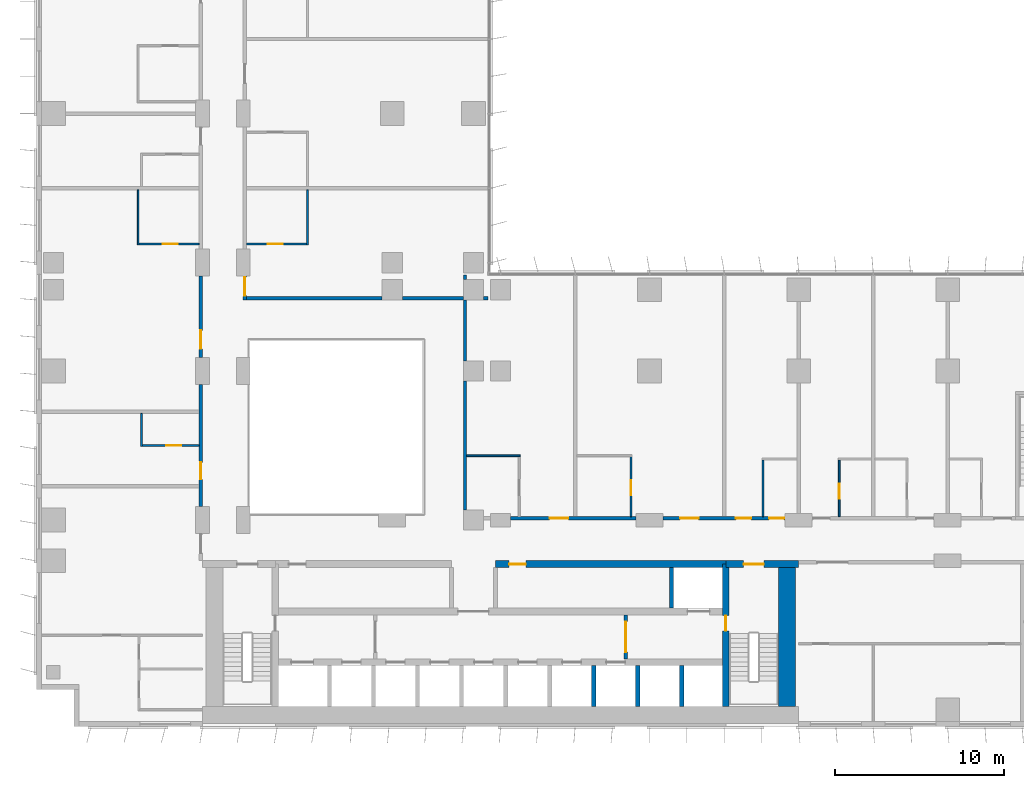
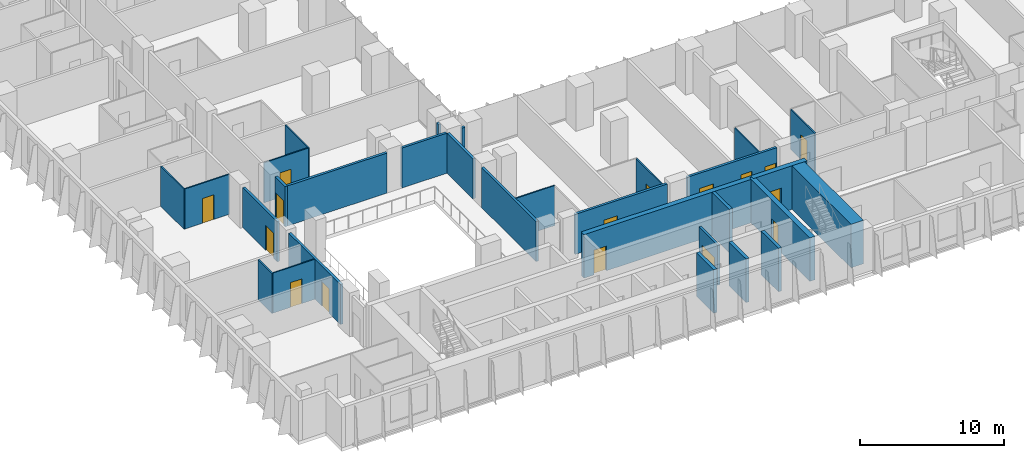
# One storey, part 13 of 24: 30 walls, 16 doors, 16 openings.
"""IFC4 building model written with IfcOpenShell, lengths in metres."""

from ifc_helpers import new_model, si_unit, direction, frame, frame_2d, origin, place, context, subcontext, project, spatial, rectangle, extrude, material, layer, layer_set, type_object, element, fill, save


model = new_model("IFC4")

# Units and contexts
model_context = context("Model", 3, precision=1e-05, world=origin(), true_north=direction((0.0, 1.0)))
body_context = subcontext(model_context, "Body", "Model", "MODEL_VIEW")
ifc_project = project(units=[si_unit("LENGTHUNIT", "METRE"), si_unit("AREAUNIT", "SQUARE_METRE"), si_unit("VOLUMEUNIT", "CUBIC_METRE"), si_unit("PLANEANGLEUNIT", "RADIAN"), si_unit("MASSUNIT", "GRAM", prefix="KILO")], contexts=[model_context])

# Site, building, storey
site_placement = place(None, origin())
site = spatial("IfcSite", under=ifc_project, at=site_placement, CompositionType="ELEMENT")
building_placement = place(site_placement, origin())
building = spatial("IfcBuilding", under=site, at=building_placement, Name="Kemantara Hotel Tower", CompositionType="ELEMENT")
storey_placement = place(building_placement, frame((0.0, 0.0, 48.800048828125)))
storey = spatial("IfcBuildingStorey", under=building, at=storey_placement, Name="L10", CompositionType="ELEMENT", Elevation=48.800048828125)

# Walls
ifc_material_1 = material(Name="Concrete fc 70 MPa", Category="concrete")
ifc_layer_1 = layer(ifc_material_1, 1.0)
ifc_layer_set_1 = layer_set([ifc_layer_1], Name="Concrete fc 70 MPa")
wall_type_1 = type_object("IfcWallType", Name="CORE WALL 1000 FC70", PredefinedType="SHEAR", material=ifc_layer_set_1)
wall_1_placement = place(storey_placement, frame((44.300048828125, 1.199951171875, 0.0), z_axis=(0.0, 0.0, 1.0), x_axis=(0.0, 1.0, 0.0)))
element("IfcWall", 1, at=wall_1_placement, inside=storey, type_object=wall_type_1, Name="CORE WALL CW-E", PredefinedType="SHEAR", context=body_context, shape_type="SweptSolid", body=[
    extrude(rectangle(XDim=8.60009765625, YDim=1.0, at=frame_2d((4.300048828125, 0.0))), origin(), (0.0, 0.0, 1.0), 3.699951171875),
])
ifc_layer_2 = layer(ifc_material_1, 0.25)
ifc_layer_set_2 = layer_set([ifc_layer_2], Name="Concrete fc 70 MPa")
wall_type_2 = type_object("IfcWallType", Name="CORE WALL 250 FC70", PredefinedType="SHEAR", material=ifc_layer_set_2)
for number, where, z_axis, x_axis, name in (
    (2, (32.89990234375, 1.199951171875, 0.0), (0.0, 0.0, 1.0), (0.0, 1.0, 0.0), "CORE WALL CW-DS32.9"),
    (3, (35.5, 1.199951171875, 0.0), (0.0, 0.0, 1.0), (0.0, 1.0, 0.0), "CORE WALL CW-DS35.5"),
    (4, (38.10009765625, 1.199951171875, 0.0), (0.0, 0.0, 1.0), (0.0, 1.0, 0.0), "CORE WALL CW-DS38.1"),
):
    element("IfcWall", number, at=place(storey_placement, frame(where, z_axis=z_axis, x_axis=x_axis)), inside=storey, type_object=wall_type_2, Name=name, PredefinedType="SHEAR", context=body_context, shape_type="SweptSolid", body=[
        extrude(rectangle(XDim=2.400146484375, YDim=0.25, at=frame_2d((1.2001953125, 0.0))), origin(), (0.0, 0.0, 1.0), 3.699951171875),
    ])
wall_2_placement = place(storey_placement, frame((37.5, 7.0, 0.0), z_axis=(0.0, 0.0, 1.0), x_axis=(0.0, 1.0, 0.0)))
element("IfcWall", 5, at=wall_2_placement, inside=storey, type_object=wall_type_2, Name="CORE WALL CW-DN37.5", PredefinedType="SHEAR", context=body_context, shape_type="SweptSolid", body=[
    extrude(rectangle(XDim=2.39990234375, YDim=0.25, at=frame_2d((1.199951171875, 0.0))), origin(), (0.0, 0.0, 1.0), 3.699951171875),
])

# Wall, opening, door
ifc_layer_3 = layer(ifc_material_1, 0.39990234375)
ifc_layer_set_3 = layer_set([ifc_layer_3], Name="Concrete fc 70 MPa")
wall_type_3 = type_object("IfcWallType", Name="CORE WALL 400 FC70", PredefinedType="SHEAR", material=ifc_layer_set_3)
wall_3_placement = place(storey_placement, frame((40.699951171875, 9.60009765625, 0.0), z_axis=(0.0, 0.0, 1.0), x_axis=(1.0, 0.0, 0.0)))
wall_3 = element("IfcWall", 6, at=wall_3_placement, inside=storey, type_object=wall_type_3, Name="CORE WALL CW-N2", PredefinedType="SHEAR", context=body_context, shape_type="SweptSolid", body=[
    extrude(rectangle(XDim=4.300048828125, YDim=0.39990234375, at=frame_2d((2.14990234375, 0.0))), origin(), (0.0, 0.0, 1.0), 3.699951171875),
])
opening_1_placement = place(wall_3_placement, frame((1.050048828125, 0.0, 0.0)))
opening_1 = element("IfcOpeningElement", 7, at=opening_1_placement, cuts=wall_3, Name="Opening C09-ST2-C", PredefinedType="OPENING", context=body_context, shape_type="SweptSolid", body=[
    extrude(rectangle(XDim=1.199951171875, YDim=2.10009765625, at=frame_2d((0.60009765625, 1.050048828125))), frame((0.0, 0.2099609375, 0.0), z_axis=(0.0, -1.0, 0.0), x_axis=(1.0, 0.0, 0.0)), (0.0, 0.0, 1.0), 0.419921875),
])
ifc_material_2 = material(Name="Steel fire door", Category="steel")
door_type_1 = type_object("IfcDoorType", Name="Fire door FD90 1200 x 2100", OperationType="NOTDEFINED", PredefinedType="DOOR", material=ifc_material_2)
door_1_placement = place(opening_1_placement, frame((1.199951171875, 0.0, 0.0), z_axis=(0.0, 0.0, 1.0), x_axis=(-1.0, 0.0, 0.0)))
door_1 = element("IfcDoor", 8, at=door_1_placement, inside=storey, type_object=door_type_1, Name="Stair ST2 door to corridor", OperationType="SINGLE_SWING_RIGHT", OverallHeight=2.10009765625, OverallWidth=1.199951171875, PredefinedType="DOOR", context=body_context, shape_type="SweptSolid", body=[
    extrude(rectangle(XDim=1.199951171875, YDim=2.10009765625, at=frame_2d((0.60009765625, 1.050048828125))), frame((0.0, 0.02490234375, 0.0), z_axis=(0.0, -1.0, 0.0), x_axis=(1.0, 0.0, 0.0)), (0.0, 0.0, 1.0), 0.050048828125),
])
fill(opening_1, door_1)

wall_4_placement = place(storey_placement, frame((27.10009765625, 9.60009765625, 0.0), z_axis=(0.0, 0.0, 1.0), x_axis=(1.0, 0.0, 0.0)))
wall_4 = element("IfcWall", 9, at=wall_4_placement, inside=storey, type_object=wall_type_3, Name="CORE WALL CW-NN2", PredefinedType="SHEAR", context=body_context, shape_type="SweptSolid", body=[
    extrude(rectangle(XDim=13.599853515625, YDim=0.39990234375, at=frame_2d((6.7998046875, 0.0))), origin(), (0.0, 0.0, 1.0), 3.699951171875),
])
opening_2_placement = place(wall_4_placement, frame((0.800048828125, 0.0, 0.0)))
opening_2 = element("IfcOpeningElement", 10, at=opening_2_placement, cuts=wall_4, Name="Opening C09-R-NE1", PredefinedType="OPENING", context=body_context, shape_type="SweptSolid", body=[
    extrude(rectangle(XDim=1.0, YDim=2.10009765625, at=frame_2d((0.5, 1.050048828125))), frame((0.0, 0.2099609375, 0.0), z_axis=(0.0, -1.0, 0.0), x_axis=(1.0, 0.0, 0.0)), (0.0, 0.0, 1.0), 0.419921875),
])
door_type_2 = type_object("IfcDoorType", Name="Fire door FD30S 1000 x 2100", OperationType="NOTDEFINED", PredefinedType="DOOR", material=ifc_material_2)
door_2_placement = place(opening_2_placement, frame((1.0, 0.0, 0.0), z_axis=(0.0, 0.0, 1.0), x_axis=(-1.0, 0.0, 0.0)))
door_2 = element("IfcDoor", 11, at=door_2_placement, inside=storey, type_object=door_type_2, Name="Staff Lounge door", OperationType="SINGLE_SWING_RIGHT", OverallHeight=2.10009765625, OverallWidth=1.0, PredefinedType="DOOR", context=body_context, shape_type="SweptSolid", body=[
    extrude(rectangle(XDim=1.0, YDim=2.10009765625, at=frame_2d((0.5, 1.050048828125))), frame((0.0, 0.02490234375, 0.0), z_axis=(0.0, -1.0, 0.0), x_axis=(1.0, 0.0, 0.0)), (0.0, 0.0, 1.0), 0.050048828125),
])
fill(opening_2, door_2)

wall_5_placement = place(storey_placement, frame((40.699951171875, 1.199951171875, 0.0), z_axis=(0.0, 0.0, 1.0), x_axis=(0.0, 1.0, 0.0)))
wall_5 = element("IfcWall", 12, at=wall_5_placement, inside=storey, type_object=wall_type_3, Name="CORE WALL CW-ST2W", PredefinedType="SHEAR", context=body_context, shape_type="SweptSolid", body=[
    extrude(rectangle(XDim=8.400146484375, YDim=0.39990234375, at=frame_2d((4.2001953125, 0.0))), origin(), (0.0, 0.0, 1.0), 3.699951171875),
])
opening_3_placement = place(wall_5_placement, frame((4.449951171875, 0.0, 0.0)))
opening_3 = element("IfcOpeningElement", 13, at=opening_3_placement, cuts=wall_5, Name="Opening C09-ST2-F", PredefinedType="OPENING", context=body_context, shape_type="SweptSolid", body=[
    extrude(rectangle(XDim=0.89990234375, YDim=2.10009765625, at=frame_2d((0.449951171875, 1.050048828125))), frame((0.0, 0.2099609375, 0.0), z_axis=(0.0, -1.0, 0.0), x_axis=(1.0, 0.0, 0.0)), (0.0, 0.0, 1.0), 0.419921875),
])
door_type_3 = type_object("IfcDoorType", Name="Fire door FD90 900 x 2100", OperationType="NOTDEFINED", PredefinedType="DOOR", material=ifc_material_2)
door_3_placement = place(opening_3_placement, frame((0.89990234375, 0.0, 0.0), z_axis=(0.0, 0.0, 1.0), x_axis=(-1.0, 0.0, 0.0)))
door_3 = element("IfcDoor", 14, at=door_3_placement, inside=storey, type_object=door_type_3, Name="Stair ST2 door to firefighting lobby", OperationType="SINGLE_SWING_LEFT", OverallHeight=2.10009765625, OverallWidth=0.89990234375, PredefinedType="DOOR", context=body_context, shape_type="SweptSolid", body=[
    extrude(rectangle(XDim=0.89990234375, YDim=2.10009765625, at=frame_2d((0.449951171875, 1.050048828125))), frame((0.0, 0.02490234375, 0.0), z_axis=(0.0, -1.0, 0.0), x_axis=(1.0, 0.0, 0.0)), (0.0, 0.0, 1.0), 0.050048828125),
])
fill(opening_3, door_3)

ifc_material_3 = material(Name="Gypsum board partition, steel studs and mineral wool, 200 mm", Category="steel")
ifc_layer_4 = layer(ifc_material_3, 0.199951171875)
ifc_layer_set_4 = layer_set([ifc_layer_4], Name="Gypsum board partition, steel studs and mineral wool, 200 mm")
wall_type_4 = type_object("IfcWallType", Name="CORRIDOR WALL 200", PredefinedType="PARTITIONING", material=ifc_layer_set_4)
wall_6_placement = place(storey_placement, frame((28.0, 12.300048828125, 0.0), z_axis=(0.0, 0.0, 1.0), x_axis=(1.0, 0.0, 0.0)))
wall_6 = element("IfcWall", 15, at=wall_6_placement, inside=storey, type_object=wall_type_4, Name="CORRIDOR WALL 200 011", PredefinedType="PARTITIONING", context=body_context, shape_type="SweptSolid", body=[
    extrude(rectangle(XDim=7.39990234375, YDim=0.199951171875, at=frame_2d((3.699951171875, 0.0))), origin(), (0.0, 0.0, 1.0), 3.39990234375),
])
opening_4_placement = place(wall_6_placement, frame((2.2998046875, 0.0, 0.0)))
opening_4 = element("IfcOpeningElement", 16, at=opening_4_placement, cuts=wall_6, Name="Opening F03-012", PredefinedType="OPENING", context=body_context, shape_type="SweptSolid", body=[
    extrude(rectangle(XDim=1.10009765625, YDim=2.10009765625, at=frame_2d((0.550048828125, 1.050048828125))), frame((0.0, 0.10986328125, 0.0), z_axis=(0.0, -1.0, 0.0), x_axis=(1.0, 0.0, 0.0)), (0.0, 0.0, 1.0), 0.219970703125),
])
ifc_material_4 = material(Name="Hardwood veneer door leaf with steel frame", Category="steel")
door_type_4 = type_object("IfcDoorType", Name="SUITE ENTRANCE DOOR 1100 X 2100 FD30S", OperationType="NOTDEFINED", PredefinedType="DOOR", material=ifc_material_4)
door_4_placement = place(opening_4_placement, origin())
door_4 = element("IfcDoor", 17, at=door_4_placement, inside=storey, type_object=door_type_4, Name="SUITE ENTRANCE DOOR F03-012", OperationType="SINGLE_SWING_RIGHT", OverallHeight=2.10009765625, OverallWidth=1.10009765625, PredefinedType="DOOR", context=body_context, shape_type="SweptSolid", body=[
    extrude(rectangle(XDim=1.10009765625, YDim=2.10009765625, at=frame_2d((0.550048828125, 1.050048828125))), frame((0.0, 0.02490234375, 0.0), z_axis=(0.0, -1.0, 0.0), x_axis=(1.0, 0.0, 0.0)), (0.0, 0.0, 1.0), 0.050048828125),
])
fill(opening_4, door_4)

# Wall, openings, doors
wall_7_placement = place(storey_placement, frame((37.0, 12.300048828125, 0.0), z_axis=(0.0, 0.0, 1.0), x_axis=(1.0, 0.0, 0.0)))
wall_7 = element("IfcWall", 18, at=wall_7_placement, inside=storey, type_object=wall_type_4, Name="CORRIDOR WALL 200 012", PredefinedType="PARTITIONING", context=body_context, shape_type="SweptSolid", body=[
    extrude(rectangle(XDim=7.199951171875, YDim=0.199951171875, at=frame_2d((3.60009765625, 0.0))), origin(), (0.0, 0.0, 1.0), 3.39990234375),
])
opening_5_placement = place(wall_7_placement, frame((1.0, 0.0, 0.0)))
opening_5 = element("IfcOpeningElement", 19, at=opening_5_placement, cuts=wall_7, Name="Opening F03-014", PredefinedType="OPENING", context=body_context, shape_type="SweptSolid", body=[
    extrude(rectangle(XDim=1.10009765625, YDim=2.10009765625, at=frame_2d((0.550048828125, 1.050048828125))), frame((0.0, 0.10986328125, 0.0), z_axis=(0.0, -1.0, 0.0), x_axis=(1.0, 0.0, 0.0)), (0.0, 0.0, 1.0), 0.219970703125),
])
opening_6_placement = place(wall_7_placement, frame((4.2998046875, 0.0, 0.0)))
opening_6 = element("IfcOpeningElement", 20, at=opening_6_placement, cuts=wall_7, Name="Opening F03-016", PredefinedType="OPENING", context=body_context, shape_type="SweptSolid", body=[
    extrude(rectangle(XDim=0.89990234375, YDim=2.10009765625, at=frame_2d((0.449951171875, 1.050048828125))), frame((0.0, 0.10986328125, 0.0), z_axis=(0.0, -1.0, 0.0), x_axis=(1.0, 0.0, 0.0)), (0.0, 0.0, 1.0), 0.219970703125),
])
opening_7_placement = place(wall_7_placement, frame((6.25, 0.0, 0.0)))
opening_7 = element("IfcOpeningElement", 21, at=opening_7_placement, cuts=wall_7, Name="Opening F03-017", PredefinedType="OPENING", context=body_context, shape_type="SweptSolid", body=[
    extrude(rectangle(XDim=0.89990234375, YDim=2.10009765625, at=frame_2d((0.449951171875, 1.050048828125))), frame((0.0, 0.10986328125, 0.0), z_axis=(0.0, -1.0, 0.0), x_axis=(1.0, 0.0, 0.0)), (0.0, 0.0, 1.0), 0.219970703125),
])
ifc_material_5 = material(Name="Steel door leaf with steel frame", Category="steel")
door_type_5 = type_object("IfcDoorType", Name="SERVICE ROOM DOOR 900 X 2100 FD60", OperationType="NOTDEFINED", PredefinedType="DOOR", material=ifc_material_5)
door_5_placement = place(opening_6_placement, origin())
door_5 = element("IfcDoor", 22, at=door_5_placement, inside=storey, type_object=door_type_5, Name="SERVICE ROOM DOOR F03-016", OperationType="SINGLE_SWING_LEFT", OverallHeight=2.10009765625, OverallWidth=0.89990234375, PredefinedType="DOOR", context=body_context, shape_type="SweptSolid", body=[
    extrude(rectangle(XDim=0.89990234375, YDim=2.10009765625, at=frame_2d((0.449951171875, 1.050048828125))), frame((0.0, 0.02490234375, 0.0), z_axis=(0.0, -1.0, 0.0), x_axis=(1.0, 0.0, 0.0)), (0.0, 0.0, 1.0), 0.050048828125),
])
fill(opening_6, door_5)
door_6_placement = place(opening_7_placement, origin())
door_6 = element("IfcDoor", 23, at=door_6_placement, inside=storey, type_object=door_type_5, Name="SERVICE ROOM DOOR F03-017", OperationType="SINGLE_SWING_RIGHT", OverallHeight=2.10009765625, OverallWidth=0.89990234375, PredefinedType="DOOR", context=body_context, shape_type="SweptSolid", body=[
    extrude(rectangle(XDim=0.89990234375, YDim=2.10009765625, at=frame_2d((0.449951171875, 1.050048828125))), frame((0.0, 0.02490234375, 0.0), z_axis=(0.0, -1.0, 0.0), x_axis=(1.0, 0.0, 0.0)), (0.0, 0.0, 1.0), 0.050048828125),
])
fill(opening_7, door_6)
door_7_placement = place(opening_5_placement, origin())
door_7 = element("IfcDoor", 24, at=door_7_placement, inside=storey, type_object=door_type_4, Name="SUITE ENTRANCE DOOR F03-014", OperationType="SINGLE_SWING_RIGHT", OverallHeight=2.10009765625, OverallWidth=1.10009765625, PredefinedType="DOOR", context=body_context, shape_type="SweptSolid", body=[
    extrude(rectangle(XDim=1.10009765625, YDim=2.10009765625, at=frame_2d((0.550048828125, 1.050048828125))), frame((0.0, 0.02490234375, 0.0), z_axis=(0.0, -1.0, 0.0), x_axis=(1.0, 0.0, 0.0)), (0.0, 0.0, 1.0), 0.050048828125),
])
fill(opening_5, door_7)

# Wall, opening, door
wall_8_placement = place(storey_placement, frame((9.699951171875, 13.0, 0.0), z_axis=(0.0, 0.0, 1.0), x_axis=(0.0, 1.0, 0.0)))
wall_8 = element("IfcWall", 25, at=wall_8_placement, inside=storey, type_object=wall_type_4, Name="CORRIDOR WALL 200 028", PredefinedType="PARTITIONING", context=body_context, shape_type="SweptSolid", body=[
    extrude(rectangle(XDim=7.199951171875, YDim=0.199951171875, at=frame_2d((3.60009765625, 0.0))), origin(), (0.0, 0.0, 1.0), 3.39990234375),
])
opening_8_placement = place(wall_8_placement, frame((1.599853515625, 0.0, 0.0)))
opening_8 = element("IfcOpeningElement", 26, at=opening_8_placement, cuts=wall_8, Name="Opening F03-034", PredefinedType="OPENING", context=body_context, shape_type="SweptSolid", body=[
    extrude(rectangle(XDim=1.0, YDim=2.10009765625, at=frame_2d((0.5, 1.050048828125))), frame((0.0, 0.10986328125, 0.0), z_axis=(0.0, -1.0, 0.0), x_axis=(1.0, 0.0, 0.0)), (0.0, 0.0, 1.0), 0.219970703125),
])
door_type_6 = type_object("IfcDoorType", Name="GUEST ROOM DOOR 1000 X 2100 FD30S", OperationType="NOTDEFINED", PredefinedType="DOOR", material=ifc_material_4)
door_8_placement = place(opening_8_placement, origin())
door_8 = element("IfcDoor", 27, at=door_8_placement, inside=storey, type_object=door_type_6, Name="GUEST ROOM DOOR F03-034", OperationType="SINGLE_SWING_LEFT", OverallHeight=2.10009765625, OverallWidth=1.0, PredefinedType="DOOR", context=body_context, shape_type="SweptSolid", body=[
    extrude(rectangle(XDim=1.0, YDim=2.10009765625, at=frame_2d((0.5, 1.050048828125))), frame((0.0, 0.02490234375, 0.0), z_axis=(0.0, -1.0, 0.0), x_axis=(1.0, 0.0, 0.0)), (0.0, 0.0, 1.0), 0.050048828125),
])
fill(opening_8, door_8)

wall_9_placement = place(storey_placement, frame((9.699951171875, 21.800048828125, 0.0), z_axis=(0.0, 0.0, 1.0), x_axis=(0.0, 1.0, 0.0)))
wall_9 = element("IfcWall", 28, at=wall_9_placement, inside=storey, type_object=wall_type_4, Name="CORRIDOR WALL 200 029", PredefinedType="PARTITIONING", context=body_context, shape_type="SweptSolid", body=[
    extrude(rectangle(XDim=4.7998046875, YDim=0.199951171875, at=frame_2d((2.39990234375, 0.0))), origin(), (0.0, 0.0, 1.0), 3.39990234375),
])
opening_9_placement = place(wall_9_placement, frame((0.5, 0.0, 0.0)))
opening_9 = element("IfcOpeningElement", 29, at=opening_9_placement, cuts=wall_9, Name="Opening F03-036", PredefinedType="OPENING", context=body_context, shape_type="SweptSolid", body=[
    extrude(rectangle(XDim=1.10009765625, YDim=2.10009765625, at=frame_2d((0.550048828125, 1.050048828125))), frame((0.0, 0.10986328125, 0.0), z_axis=(0.0, -1.0, 0.0), x_axis=(1.0, 0.0, 0.0)), (0.0, 0.0, 1.0), 0.219970703125),
])
door_9_placement = place(opening_9_placement, origin())
door_9 = element("IfcDoor", 30, at=door_9_placement, inside=storey, type_object=door_type_4, Name="SUITE ENTRANCE DOOR F03-036", OperationType="SINGLE_SWING_LEFT", OverallHeight=2.10009765625, OverallWidth=1.10009765625, PredefinedType="DOOR", context=body_context, shape_type="SweptSolid", body=[
    extrude(rectangle(XDim=1.10009765625, YDim=2.10009765625, at=frame_2d((0.550048828125, 1.050048828125))), frame((0.0, 0.02490234375, 0.0), z_axis=(0.0, -1.0, 0.0), x_axis=(1.0, 0.0, 0.0)), (0.0, 0.0, 1.0), 0.050048828125),
])
fill(opening_9, door_9)

wall_10_placement = place(storey_placement, frame((12.300048828125, 26.599853515625, 0.0), z_axis=(0.0, 0.0, 1.0), x_axis=(0.0, -1.0, 0.0)))
wall_10 = element("IfcWall", 31, at=wall_10_placement, inside=storey, type_object=wall_type_4, Name="CORRIDOR WALL 200 046", PredefinedType="PARTITIONING", context=body_context, shape_type="SweptSolid", body=[
    extrude(rectangle(XDim=1.39990234375, YDim=0.199951171875, at=frame_2d((0.699951171875, 0.0))), origin(), (0.0, 0.0, 1.0), 3.39990234375),
])
opening_10_placement = place(wall_10_placement, frame((0.0498046875, 0.0, 0.0)))
opening_10 = element("IfcOpeningElement", 32, at=opening_10_placement, cuts=wall_10, Name="Opening F03-054", PredefinedType="OPENING", context=body_context, shape_type="SweptSolid", body=[
    extrude(rectangle(XDim=1.10009765625, YDim=2.10009765625, at=frame_2d((0.550048828125, 1.050048828125))), frame((0.0, 0.10986328125, 0.0), z_axis=(0.0, -1.0, 0.0), x_axis=(1.0, 0.0, 0.0)), (0.0, 0.0, 1.0), 0.219970703125),
])
door_10_placement = place(opening_10_placement, origin())
door_10 = element("IfcDoor", 33, at=door_10_placement, inside=storey, type_object=door_type_4, Name="SUITE ENTRANCE DOOR F03-054", OperationType="SINGLE_SWING_RIGHT", OverallHeight=2.10009765625, OverallWidth=1.10009765625, PredefinedType="DOOR", context=body_context, shape_type="SweptSolid", body=[
    extrude(rectangle(XDim=1.10009765625, YDim=2.10009765625, at=frame_2d((0.550048828125, 1.050048828125))), frame((0.0, 0.02490234375, 0.0), z_axis=(0.0, -1.0, 0.0), x_axis=(1.0, 0.0, 0.0)), (0.0, 0.0, 1.0), 0.050048828125),
])
fill(opening_10, door_10)

# Walls
ifc_layer_5 = layer(ifc_material_3, 0.199951171875)
ifc_layer_set_5 = layer_set([ifc_layer_5], Name="Gypsum board partition, steel studs and mineral wool, 200 mm")
wall_type_5 = type_object("IfcWallType", Name="GUEST ROOM PARTY WALL 200", PredefinedType="PARTITIONING", material=ifc_layer_set_5)
wall_11_placement = place(storey_placement, frame((25.300048828125, 12.800048828125, 0.0), z_axis=(0.0, 0.0, 1.0), x_axis=(0.0, 1.0, 0.0)))
element("IfcWall", 34, at=wall_11_placement, inside=storey, type_object=wall_type_5, Name="GUEST ROOM PARTY WALL 200 017", PredefinedType="PARTITIONING", context=body_context, shape_type="SweptSolid", body=[
    extrude(rectangle(XDim=7.599853515625, YDim=0.199951171875, at=frame_2d((3.7998046875, 0.0))), origin(), (0.0, 0.0, 1.0), 3.39990234375),
])
wall_12_placement = place(storey_placement, frame((25.300048828125, 21.60009765625, 0.0), z_axis=(0.0, 0.0, 1.0), x_axis=(0.0, 1.0, 0.0)))
element("IfcWall", 35, at=wall_12_placement, inside=storey, type_object=wall_type_5, Name="GUEST ROOM PARTY WALL 200 018", PredefinedType="PARTITIONING", context=body_context, shape_type="SweptSolid", body=[
    extrude(rectangle(XDim=3.599853515625, YDim=0.199951171875, at=frame_2d((1.7998046875, 0.0))), origin(), (0.0, 0.0, 1.0), 3.39990234375),
])
wall_13_placement = place(storey_placement, frame((25.300048828125, 26.400146484375, 0.0), z_axis=(0.0, 0.0, 1.0), x_axis=(0.0, 1.0, 0.0)))
element("IfcWall", 36, at=wall_13_placement, inside=storey, type_object=wall_type_5, Name="GUEST ROOM PARTY WALL 200 019", PredefinedType="PARTITIONING", context=body_context, shape_type="SweptSolid", body=[
    extrude(rectangle(XDim=0.269775390625, YDim=0.199951171875, at=frame_2d((0.134765625, 0.0))), origin(), (0.0, 0.0, 1.0), 3.39990234375),
])
wall_14_placement = place(storey_placement, frame((12.39990234375, 25.300048828125, 0.0), z_axis=(0.0, 0.0, 1.0), x_axis=(1.0, 0.0, 0.0)))
element("IfcWall", 37, at=wall_14_placement, inside=storey, type_object=wall_type_5, Name="GUEST ROOM PARTY WALL 200 053", PredefinedType="PARTITIONING", context=body_context, shape_type="SweptSolid", body=[
    extrude(rectangle(XDim=8.0, YDim=0.199951171875, at=frame_2d((4.0, 0.0))), origin(), (0.0, 0.0, 1.0), 3.39990234375),
])
wall_15_placement = place(storey_placement, frame((21.60009765625, 25.300048828125, 0.0), z_axis=(0.0, 0.0, 1.0), x_axis=(1.0, 0.0, 0.0)))
element("IfcWall", 38, at=wall_15_placement, inside=storey, type_object=wall_type_5, Name="GUEST ROOM PARTY WALL 200 054", PredefinedType="PARTITIONING", context=body_context, shape_type="SweptSolid", body=[
    extrude(rectangle(XDim=3.599853515625, YDim=0.199951171875, at=frame_2d((1.7998046875, 0.0))), origin(), (0.0, 0.0, 1.0), 3.39990234375),
])
wall_16_placement = place(storey_placement, frame((26.400146484375, 25.300048828125, 0.0), z_axis=(0.0, 0.0, 1.0), x_axis=(1.0, 0.0, 0.0)))
element("IfcWall", 39, at=wall_16_placement, inside=storey, type_object=wall_type_5, Name="GUEST ROOM PARTY WALL 200 055", PredefinedType="PARTITIONING", context=body_context, shape_type="SweptSolid", body=[
    extrude(rectangle(XDim=0.269775390625, YDim=0.199951171875, at=frame_2d((0.134765625, 0.0))), origin(), (0.0, 0.0, 1.0), 3.39990234375),
])

# Wall, opening, door
ifc_material_6 = material(Name="Gypsum board shaft wall")
ifc_layer_6 = layer(ifc_material_6, 0.199951171875)
ifc_layer_set_6 = layer_set([ifc_layer_6], Name="Gypsum board shaft wall")
wall_type_6 = type_object("IfcWallType", Name="Gypsum board shaft wall 200 mm", PredefinedType="PARTITIONING", material=ifc_layer_set_6)
wall_17_placement = place(storey_placement, frame((34.800048828125, 4.0, 0.0), z_axis=(0.0, 0.0, 1.0), x_axis=(0.0, 1.0, 0.0)))
wall_17 = element("IfcWall", 40, at=wall_17_placement, inside=storey, type_object=wall_type_6, Name="Firefighting lobby partition east", PredefinedType="PARTITIONING", context=body_context, shape_type="SweptSolid", body=[
    extrude(rectangle(XDim=2.60009765625, YDim=0.199951171875, at=frame_2d((1.300048828125, 0.0))), origin(), (0.0, 0.0, 1.0), 3.39990234375),
])
opening_11_placement = place(wall_17_placement, frame((0.39990234375, 0.0, 0.0)))
opening_11 = element("IfcOpeningElement", 41, at=opening_11_placement, cuts=wall_17, Name="Opening C09-FFE", PredefinedType="OPENING", context=body_context, shape_type="SweptSolid", body=[
    extrude(rectangle(XDim=1.800048828125, YDim=2.10009765625, at=frame_2d((0.89990234375, 1.050048828125))), frame((0.0, 0.10986328125, 0.0), z_axis=(0.0, -1.0, 0.0), x_axis=(1.0, 0.0, 0.0)), (0.0, 0.0, 1.0), 0.219970703125),
])
door_type_7 = type_object("IfcDoorType", Name="Fire door pair FD60 1800 x 2100", OperationType="DOUBLE_DOOR_SINGLE_SWING", PredefinedType="DOOR", material=ifc_material_2)
door_11_placement = place(opening_11_placement, frame((1.800048828125, 0.0, 0.0), z_axis=(0.0, 0.0, 1.0), x_axis=(-1.0, 0.0, 0.0)))
door_11 = element("IfcDoor", 42, at=door_11_placement, inside=storey, type_object=door_type_7, Name="Firefighting lobby door east", OperationType="DOUBLE_DOOR_SINGLE_SWING", OverallHeight=2.10009765625, OverallWidth=1.800048828125, PredefinedType="DOOR", context=body_context, shape_type="SweptSolid", body=[
    extrude(rectangle(XDim=1.800048828125, YDim=2.10009765625, at=frame_2d((0.89990234375, 1.050048828125))), frame((0.0, 0.02490234375, 0.0), z_axis=(0.0, -1.0, 0.0), x_axis=(1.0, 0.0, 0.0)), (0.0, 0.0, 1.0), 0.050048828125),
])
fill(opening_11, door_11)

# Wall
ifc_material_7 = material(Name="Gypsum board partition on steel studs, 100 mm", Category="steel")
ifc_layer_7 = layer(ifc_material_7, 0.10009765625)
ifc_layer_set_7 = layer_set([ifc_layer_7], Name="Gypsum board partition on steel studs, 100 mm")
wall_type_7 = type_object("IfcWallType", Name="ROOM PARTITION 100", PredefinedType="PARTITIONING", material=ifc_layer_set_7)
wall_18_placement = place(storey_placement, frame((25.39990234375, 16.0, 0.0), z_axis=(0.0, 0.0, 1.0), x_axis=(1.0, 0.0, 0.0)))
element("IfcWall", 43, at=wall_18_placement, inside=storey, type_object=wall_type_7, Name="ROOM PARTITION 100 075", PredefinedType="PARTITIONING", context=body_context, shape_type="SweptSolid", body=[
    extrude(rectangle(XDim=3.150146484375, YDim=0.10009765625, at=frame_2d((1.5751953125, 0.0))), origin(), (0.0, 0.0, 1.0), 3.39990234375),
])

# Wall, opening, door
wall_19_placement = place(storey_placement, frame((35.10009765625, 12.39990234375, 0.0), z_axis=(0.0, 0.0, 1.0), x_axis=(0.0, 1.0, 0.0)))
wall_19 = element("IfcWall", 44, at=wall_19_placement, inside=storey, type_object=wall_type_7, Name="ROOM PARTITION 100 078", PredefinedType="PARTITIONING", context=body_context, shape_type="SweptSolid", body=[
    extrude(rectangle(XDim=3.550048828125, YDim=0.10009765625, at=frame_2d((1.77490234375, 0.0))), origin(), (0.0, 0.0, 1.0), 3.39990234375),
])
opening_12_placement = place(wall_19_placement, frame((1.25, 0.0, 0.0)))
opening_12 = element("IfcOpeningElement", 45, at=opening_12_placement, cuts=wall_19, Name="Opening F03-015", PredefinedType="OPENING", context=body_context, shape_type="SweptSolid", body=[
    extrude(rectangle(XDim=0.89990234375, YDim=2.10009765625, at=frame_2d((0.449951171875, 1.050048828125))), frame((0.0, 0.06005859375, 0.0), z_axis=(0.0, -1.0, 0.0), x_axis=(1.0, 0.0, 0.0)), (0.0, 0.0, 1.0), 0.1201171875),
])
door_type_8 = type_object("IfcDoorType", Name="BATHROOM DOOR 900 X 2100", OperationType="NOTDEFINED", PredefinedType="DOOR", material=ifc_material_4)
door_12_placement = place(opening_12_placement, origin())
door_12 = element("IfcDoor", 46, at=door_12_placement, inside=storey, type_object=door_type_8, Name="BATHROOM DOOR F03-015", OperationType="SINGLE_SWING_LEFT", OverallHeight=2.10009765625, OverallWidth=0.89990234375, PredefinedType="DOOR", context=body_context, shape_type="SweptSolid", body=[
    extrude(rectangle(XDim=0.89990234375, YDim=2.10009765625, at=frame_2d((0.449951171875, 1.050048828125))), frame((0.0, 0.02490234375, 0.0), z_axis=(0.0, -1.0, 0.0), x_axis=(1.0, 0.0, 0.0)), (0.0, 0.0, 1.0), 0.050048828125),
])
fill(opening_12, door_12)

# Wall
wall_20_placement = place(storey_placement, frame((42.89990234375, 12.39990234375, 0.0), z_axis=(0.0, 0.0, 1.0), x_axis=(0.0, 1.0, 0.0)))
element("IfcWall", 47, at=wall_20_placement, inside=storey, type_object=wall_type_7, Name="ROOM PARTITION 100 085", PredefinedType="PARTITIONING", context=body_context, shape_type="SweptSolid", body=[
    extrude(rectangle(XDim=3.35009765625, YDim=0.10009765625, at=frame_2d((1.675048828125, 0.0))), origin(), (0.0, 0.0, 1.0), 3.39990234375),
])

# Wall, opening, door
wall_21_placement = place(storey_placement, frame((47.39990234375, 15.75, 0.0), z_axis=(0.0, 0.0, 1.0), x_axis=(0.0, -1.0, 0.0)))
wall_21 = element("IfcWall", 48, at=wall_21_placement, inside=storey, type_object=wall_type_7, Name="ROOM PARTITION 100 086", PredefinedType="PARTITIONING", context=body_context, shape_type="SweptSolid", body=[
    extrude(rectangle(XDim=3.35009765625, YDim=0.10009765625, at=frame_2d((1.675048828125, 0.0))), origin(), (0.0, 0.0, 1.0), 3.39990234375),
])
opening_13_placement = place(wall_21_placement, frame((1.39990234375, 0.0, 0.0)))
opening_13 = element("IfcOpeningElement", 49, at=opening_13_placement, cuts=wall_21, Name="Opening F03-019", PredefinedType="OPENING", context=body_context, shape_type="SweptSolid", body=[
    extrude(rectangle(XDim=0.89990234375, YDim=2.10009765625, at=frame_2d((0.449951171875, 1.050048828125))), frame((0.0, 0.06005859375, 0.0), z_axis=(0.0, -1.0, 0.0), x_axis=(1.0, 0.0, 0.0)), (0.0, 0.0, 1.0), 0.1201171875),
])
door_13_placement = place(opening_13_placement, origin())
door_13 = element("IfcDoor", 50, at=door_13_placement, inside=storey, type_object=door_type_8, Name="BATHROOM DOOR F03-019", OperationType="SINGLE_SWING_RIGHT", OverallHeight=2.10009765625, OverallWidth=0.89990234375, PredefinedType="DOOR", context=body_context, shape_type="SweptSolid", body=[
    extrude(rectangle(XDim=0.89990234375, YDim=2.10009765625, at=frame_2d((0.449951171875, 1.050048828125))), frame((0.0, 0.02490234375, 0.0), z_axis=(0.0, -1.0, 0.0), x_axis=(1.0, 0.0, 0.0)), (0.0, 0.0, 1.0), 0.050048828125),
])
fill(opening_13, door_13)

# Wall
wall_22_placement = place(storey_placement, frame((6.199951171875, 16.550048828125, 0.0), z_axis=(0.0, 0.0, 1.0), x_axis=(0.0, 1.0, 0.0)))
element("IfcWall", 51, at=wall_22_placement, inside=storey, type_object=wall_type_7, Name="ROOM PARTITION 100 096", PredefinedType="PARTITIONING", context=body_context, shape_type="SweptSolid", body=[
    extrude(rectangle(XDim=1.949951171875, YDim=0.10009765625, at=frame_2d((0.97509765625, 0.0))), origin(), (0.0, 0.0, 1.0), 3.39990234375),
])

# Wall, opening, door
wall_23_placement = place(storey_placement, frame((6.25, 16.60009765625, 0.0), z_axis=(0.0, 0.0, 1.0), x_axis=(1.0, 0.0, 0.0)))
wall_23 = element("IfcWall", 52, at=wall_23_placement, inside=storey, type_object=wall_type_7, Name="ROOM PARTITION 100 103", PredefinedType="PARTITIONING", context=body_context, shape_type="SweptSolid", body=[
    extrude(rectangle(XDim=3.35009765625, YDim=0.10009765625, at=frame_2d((1.675048828125, 0.0))), origin(), (0.0, 0.0, 1.0), 3.39990234375),
])
opening_14_placement = place(wall_23_placement, frame((1.39990234375, 0.0, 0.0)))
opening_14 = element("IfcOpeningElement", 53, at=opening_14_placement, cuts=wall_23, Name="Opening F03-035", PredefinedType="OPENING", context=body_context, shape_type="SweptSolid", body=[
    extrude(rectangle(XDim=0.89990234375, YDim=2.10009765625, at=frame_2d((0.449951171875, 1.050048828125))), frame((0.0, 0.06005859375, 0.0), z_axis=(0.0, -1.0, 0.0), x_axis=(1.0, 0.0, 0.0)), (0.0, 0.0, 1.0), 0.1201171875),
])
door_14_placement = place(opening_14_placement, origin())
door_14 = element("IfcDoor", 54, at=door_14_placement, inside=storey, type_object=door_type_8, Name="BATHROOM DOOR F03-035", OperationType="SINGLE_SWING_RIGHT", OverallHeight=2.10009765625, OverallWidth=0.89990234375, PredefinedType="DOOR", context=body_context, shape_type="SweptSolid", body=[
    extrude(rectangle(XDim=0.89990234375, YDim=2.10009765625, at=frame_2d((0.449951171875, 1.050048828125))), frame((0.0, 0.02490234375, 0.0), z_axis=(0.0, -1.0, 0.0), x_axis=(1.0, 0.0, 0.0)), (0.0, 0.0, 1.0), 0.050048828125),
])
fill(opening_14, door_14)

# Wall
wall_24_placement = place(storey_placement, frame((6.0, 28.449951171875, 0.0), z_axis=(0.0, 0.0, 1.0), x_axis=(0.0, 1.0, 0.0)))
element("IfcWall", 55, at=wall_24_placement, inside=storey, type_object=wall_type_7, Name="ROOM PARTITION 100 104", PredefinedType="PARTITIONING", context=body_context, shape_type="SweptSolid", body=[
    extrude(rectangle(XDim=3.25, YDim=0.10009765625, at=frame_2d((1.625, 0.0))), origin(), (0.0, 0.0, 1.0), 3.39990234375),
])

# Wall, opening, door
wall_25_placement = place(storey_placement, frame((6.050048828125, 28.5, 0.0), z_axis=(0.0, 0.0, 1.0), x_axis=(1.0, 0.0, 0.0)))
wall_25 = element("IfcWall", 56, at=wall_25_placement, inside=storey, type_object=wall_type_7, Name="ROOM PARTITION 100 106", PredefinedType="PARTITIONING", context=body_context, shape_type="SweptSolid", body=[
    extrude(rectangle(XDim=3.550048828125, YDim=0.10009765625, at=frame_2d((1.77490234375, 0.0))), origin(), (0.0, 0.0, 1.0), 3.39990234375),
])
opening_15_placement = place(wall_25_placement, frame((1.39990234375, 0.0, 0.0)))
opening_15 = element("IfcOpeningElement", 57, at=opening_15_placement, cuts=wall_25, Name="Opening F03-037", PredefinedType="OPENING", context=body_context, shape_type="SweptSolid", body=[
    extrude(rectangle(XDim=0.89990234375, YDim=2.10009765625, at=frame_2d((0.449951171875, 1.050048828125))), frame((0.0, 0.06005859375, 0.0), z_axis=(0.0, -1.0, 0.0), x_axis=(1.0, 0.0, 0.0)), (0.0, 0.0, 1.0), 0.1201171875),
])
door_15_placement = place(opening_15_placement, origin())
door_15 = element("IfcDoor", 58, at=door_15_placement, inside=storey, type_object=door_type_8, Name="BATHROOM DOOR F03-037", OperationType="SINGLE_SWING_RIGHT", OverallHeight=2.10009765625, OverallWidth=0.89990234375, PredefinedType="DOOR", context=body_context, shape_type="SweptSolid", body=[
    extrude(rectangle(XDim=0.89990234375, YDim=2.10009765625, at=frame_2d((0.449951171875, 1.050048828125))), frame((0.0, 0.02490234375, 0.0), z_axis=(0.0, -1.0, 0.0), x_axis=(1.0, 0.0, 0.0)), (0.0, 0.0, 1.0), 0.050048828125),
])
fill(opening_15, door_15)

wall_26_placement = place(storey_placement, frame((12.39990234375, 28.5, 0.0), z_axis=(0.0, 0.0, 1.0), x_axis=(1.0, 0.0, 0.0)))
wall_26 = element("IfcWall", 59, at=wall_26_placement, inside=storey, type_object=wall_type_7, Name="ROOM PARTITION 100 107", PredefinedType="PARTITIONING", context=body_context, shape_type="SweptSolid", body=[
    extrude(rectangle(XDim=3.550048828125, YDim=0.10009765625, at=frame_2d((1.77490234375, 0.0))), origin(), (0.0, 0.0, 1.0), 3.39990234375),
])
opening_16_placement = place(wall_26_placement, frame((1.25, 0.0, 0.0)))
opening_16 = element("IfcOpeningElement", 60, at=opening_16_placement, cuts=wall_26, Name="Opening F03-055", PredefinedType="OPENING", context=body_context, shape_type="SweptSolid", body=[
    extrude(rectangle(XDim=0.89990234375, YDim=2.10009765625, at=frame_2d((0.449951171875, 1.050048828125))), frame((0.0, 0.06005859375, 0.0), z_axis=(0.0, -1.0, 0.0), x_axis=(1.0, 0.0, 0.0)), (0.0, 0.0, 1.0), 0.1201171875),
])
door_16_placement = place(opening_16_placement, origin())
door_16 = element("IfcDoor", 61, at=door_16_placement, inside=storey, type_object=door_type_8, Name="BATHROOM DOOR F03-055", OperationType="SINGLE_SWING_LEFT", OverallHeight=2.10009765625, OverallWidth=0.89990234375, PredefinedType="DOOR", context=body_context, shape_type="SweptSolid", body=[
    extrude(rectangle(XDim=0.89990234375, YDim=2.10009765625, at=frame_2d((0.449951171875, 1.050048828125))), frame((0.0, 0.02490234375, 0.0), z_axis=(0.0, -1.0, 0.0), x_axis=(1.0, 0.0, 0.0)), (0.0, 0.0, 1.0), 0.050048828125),
])
fill(opening_16, door_16)

# Wall
wall_27_placement = place(storey_placement, frame((16.0, 28.449951171875, 0.0), z_axis=(0.0, 0.0, 1.0), x_axis=(0.0, 1.0, 0.0)))
element("IfcWall", 62, at=wall_27_placement, inside=storey, type_object=wall_type_7, Name="ROOM PARTITION 100 117", PredefinedType="PARTITIONING", context=body_context, shape_type="SweptSolid", body=[
    extrude(rectangle(XDim=3.25, YDim=0.10009765625, at=frame_2d((1.625, 0.0))), origin(), (0.0, 0.0, 1.0), 3.39990234375),
])

save(model, "model.ifc")
